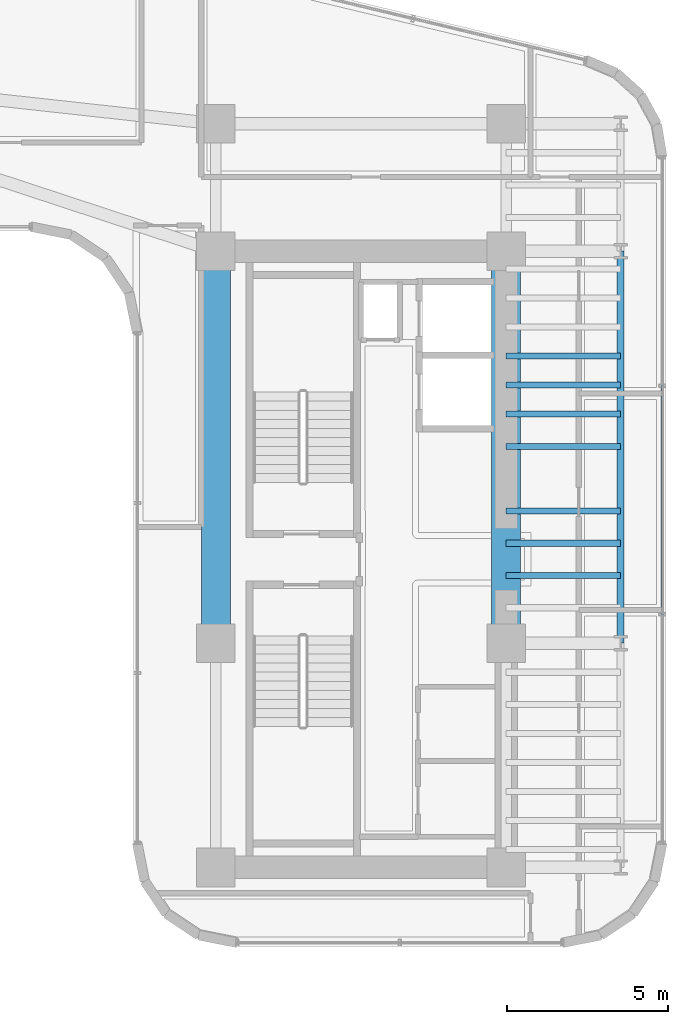
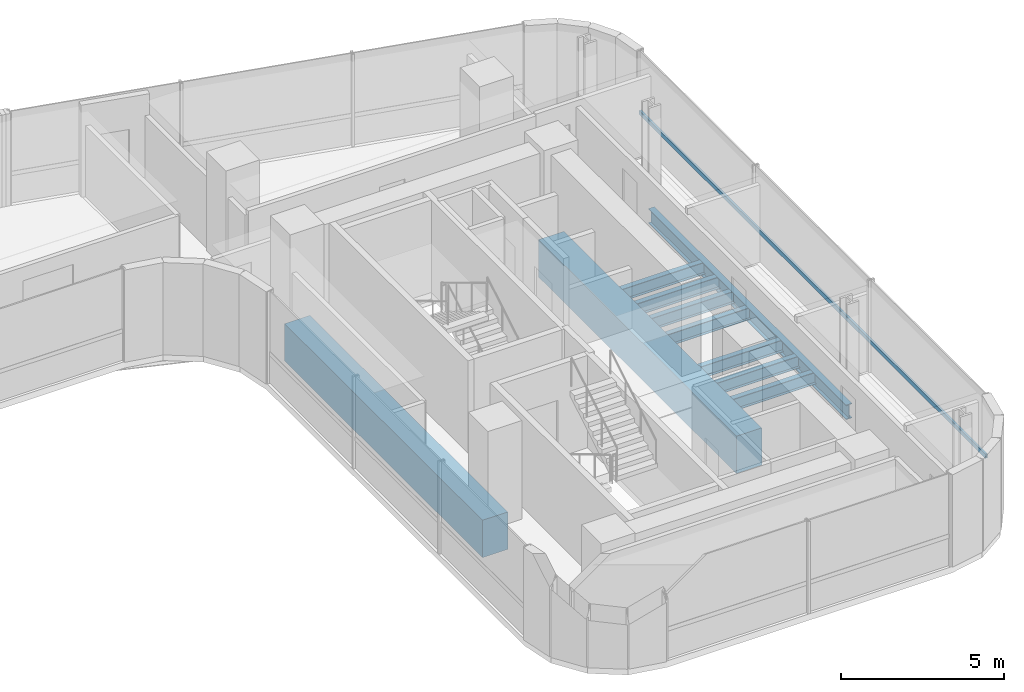
# One storey, part 16 of 35: 10 beams, 1 member, 1 element without a shape of its own.
"""IFC4 building model written with IfcOpenShell, lengths in metres."""

from ifc_helpers import new_model, si_unit, direction, frame, origin, origin_2d, place, context, subcontext, project, spatial, rectangle, hollow_rectangle, i_section, extrude, source, transform, mapped, material, material_profile, profile_set, type_object, element, aggregate, save


model = new_model("IFC4")

# Units and contexts
model_context = context("Model", 3, precision=1e-05, world=origin(), true_north=direction((0.0, 1.0)))
body_context = subcontext(model_context, "Body", "Model", "MODEL_VIEW")
ifc_project = project(units=[si_unit("LENGTHUNIT", "METRE"), si_unit("AREAUNIT", "SQUARE_METRE"), si_unit("VOLUMEUNIT", "CUBIC_METRE"), si_unit("PLANEANGLEUNIT", "RADIAN"), si_unit("MASSUNIT", "GRAM", prefix="KILO")], contexts=[model_context])

# Site, building, storey
site_placement = place(None, origin())
site = spatial("IfcSite", under=ifc_project, at=site_placement, CompositionType="ELEMENT")
building_placement = place(site_placement, origin())
building = spatial("IfcBuilding", under=site, at=building_placement, Name="Valdorenza Pilgrim Sanctuary Tower", CompositionType="ELEMENT")
storey_placement = place(building_placement, frame((0.0, 0.0, 139.0)))
storey = spatial("IfcBuildingStorey", under=building, at=storey_placement, Name="L35", CompositionType="ELEMENT", Elevation=139.0)

# Beams
ifc_material_1 = material(Name="Concrete C60/75", Category="concrete")
ifc_material_profile_1 = material_profile(ifc_material_1, rectangle(XDim=0.89990234375, YDim=1.39990234375, at=origin_2d()), Name="RC 1400x900")
ifc_profile_set_1 = profile_set([ifc_material_profile_1], Name="Concrete C60/75")
beam_type_1 = type_object("IfcBeamType", Name="STR-BM-LNT-1400", PredefinedType="LINTEL", material=ifc_profile_set_1)
shared_shape_1 = source(origin(), body_context, "Body", "SweptSolid", [
    extrude(rectangle(XDim=0.89990234375, YDim=1.39990234375, at=origin_2d()), origin(), (0.0, 0.0, 1.0), 12.150146484375),
])
for number, where, z_axis, x_axis, name in (
    (1, (15.85009765625, -2.60009765625, -0.739990234375), (0.0, 1.0, 0.0), (-1.0, 0.0, 0.0), "L35 Core B West Coupling Lintel Girder"),
    (2, (24.85009765625, -2.60009765625, -0.739990234375), (0.0, 1.0, 0.0), (-1.0, 0.0, 0.0), "L35 Core B East Coupling Lintel Girder"),
):
    element("IfcBeam", number, at=place(storey_placement, frame(where, z_axis=z_axis, x_axis=x_axis)), inside=storey, type_object=beam_type_1, Name=name, PredefinedType="LINTEL", context=body_context, shape_type="MappedRepresentation", body=[
        mapped(shared_shape_1, transform((0.0, 0.0, 0.0), x_axis=(1.0, 0.0, 0.0), y_axis=(0.0, 1.0, 0.0), z_axis=(0.0, 0.0, 1.0), scale=1.0)),
    ])
ifc_material_2 = material(Name="Steel ASTM A992 Grade 50", Category="steel")
ifc_material_profile_2 = material_profile(ifc_material_2, i_section(OverallWidth=0.214111328125, OverallDepth=0.549072265625, WebThickness=0.0146484375, FlangeThickness=0.023681640625, at=origin_2d()), Name="W21X93")
ifc_profile_set_2 = profile_set([ifc_material_profile_2], Name="Steel ASTM A992 Grade 50")
beam_type_2 = type_object("IfcBeamType", Name="STR-BM-SPN-W21A", PredefinedType="SPANDREL", material=ifc_profile_set_2)
shared_shape_2 = source(origin(), body_context, "Body", "SweptSolid", [
    extrude(i_section(OverallWidth=0.214111328125, OverallDepth=0.549072265625, WebThickness=0.0146484375, FlangeThickness=0.023681640625, at=origin_2d()), origin(), (0.0, 0.0, 1.0), 12.150146484375),
])
beam_placement = place(storey_placement, frame((28.39990234375, -2.60009765625, -0.514404296875), z_axis=(0.0, 1.0, 0.0), x_axis=(-1.0, 0.0, 0.0)))
element("IfcBeam", 3, at=beam_placement, inside=storey, type_object=beam_type_2, Name="L35 Spandrel Beam WB-E-M0N1", PredefinedType="SPANDREL", context=body_context, shape_type="MappedRepresentation", body=[
    mapped(shared_shape_2, transform((0.0, 0.0, 0.0), x_axis=(1.0, 0.0, 0.0), y_axis=(0.0, 1.0, 0.0), z_axis=(0.0, 0.0, 1.0), scale=1.0)),
])
ifc_material_profile_3 = material_profile(ifc_material_2, i_section(OverallWidth=0.19091796875, OverallDepth=0.45703125, WebThickness=0.009033203125, FlangeThickness=0.014404296875, at=origin_2d()), Name="W18X50")
ifc_profile_set_3 = profile_set([ifc_material_profile_3], Name="Steel ASTM A992 Grade 50")
beam_type_3 = type_object("IfcBeamType", Name="STR-BM-JST-W18B", PredefinedType="JOIST", material=ifc_profile_set_3)
shared_shape_3 = source(origin(), body_context, "Body", "SweptSolid", [
    extrude(i_section(OverallWidth=0.19091796875, OverallDepth=0.45703125, WebThickness=0.009033203125, FlangeThickness=0.014404296875, at=origin_2d()), origin(), (0.0, 0.0, 1.0), 3.5498046875),
])
for number, where, z_axis, x_axis, name in (
    (4, (24.85009765625, -0.5, -0.468505859375), (1.0, 0.0, 0.0), (0.0, 1.0, 0.0), "L35 Composite Floor Joist JST-WB-9"),
    (5, (24.85009765625, 0.5, -0.468505859375), (1.0, 0.0, 0.0), (0.0, 1.0, 0.0), "L35 Composite Floor Joist JST-WB-10"),
    (6, (24.85009765625, 1.5, -0.468505859375), (1.0, 0.0, 0.0), (0.0, 1.0, 0.0), "L35 Composite Floor Joist JST-WB-11"),
    (7, (24.85009765625, 3.5, -0.468505859375), (1.0, 0.0, 0.0), (0.0, 1.0, 0.0), "L35 Composite Floor Joist JST-WB-12"),
    (8, (24.85009765625, 4.5, -0.468505859375), (1.0, 0.0, 0.0), (0.0, 1.0, 0.0), "L35 Composite Floor Joist JST-WB-13"),
    (9, (24.85009765625, 5.39990234375, -0.468505859375), (1.0, 0.0, 0.0), (0.0, 1.0, 0.0), "L35 Composite Floor Joist JST-WB-14"),
    (10, (24.85009765625, 6.300048828125, -0.468505859375), (1.0, 0.0, 0.0), (0.0, 1.0, 0.0), "L35 Composite Floor Joist JST-WB-15"),
):
    element("IfcBeam", number, at=place(storey_placement, frame(where, z_axis=z_axis, x_axis=x_axis)), inside=storey, type_object=beam_type_3, Name=name, PredefinedType="JOIST", context=body_context, shape_type="MappedRepresentation", body=[
        mapped(shared_shape_3, transform((0.0, 0.0, 0.0), x_axis=(1.0, 0.0, 0.0), y_axis=(0.0, 1.0, 0.0), z_axis=(0.0, 0.0, 1.0), scale=1.0)),
    ])

# Curtain wall, member
ifc_material_3 = material(Name="Curtain-wall IGU glazing", Category="glass")
curtain_wall_type = type_object("IfcCurtainWallType", Name="CW-SYS-03", PredefinedType="NOTDEFINED", material=ifc_material_3)
curtain_wall_placement = place(storey_placement, origin())
curtain_wall = element("IfcCurtainWall", 11, at=curtain_wall_placement, inside=storey, type_object=curtain_wall_type, Name="L35 Curtain Wall CW-L35-1-21", PredefinedType="NOTDEFINED")
ifc_material_4 = material(Name="Anodised aluminium AW-6060", Category="aluminium")
ifc_material_profile_4 = material_profile(ifc_material_4, hollow_rectangle(XDim=0.074951171875, YDim=0.159912109375, WallThickness=0.00390625, at=origin_2d()), Name="ALU-T 160x75x4")
ifc_profile_set_4 = profile_set([ifc_material_profile_4], Name="Anodised aluminium AW-6060")
member_type = type_object("IfcMemberType", Name="CW-TRN-03", PredefinedType="USERDEFINED", material=ifc_profile_set_4)
shared_shape_4 = source(origin(), body_context, "Body", "SweptSolid", [
    extrude(hollow_rectangle(XDim=0.074951171875, YDim=0.159912109375, WallThickness=0.00390625, at=origin_2d()), origin(), (0.0, 0.0, 1.0), 21.255615234375),
])
member_placement = place(storey_placement, frame((29.68994140625, 12.46630859375, 1.1201171875), z_axis=(0.0, -1.0, 0.0), x_axis=(1.0, 0.0, 0.0)))
member = element("IfcMember", 12, at=member_placement, type_object=member_type, Name="CW-L35-1-21 Transom 1", ObjectType="TRANSOM", PredefinedType="USERDEFINED", context=body_context, shape_type="MappedRepresentation", body=[
    mapped(shared_shape_4, transform((0.0, 0.0, 0.0), x_axis=(1.0, 0.0, 0.0), y_axis=(0.0, 1.0, 0.0), z_axis=(0.0, 0.0, 1.0), scale=1.0)),
])
aggregate(curtain_wall, [member])

save(model, "model.ifc")
